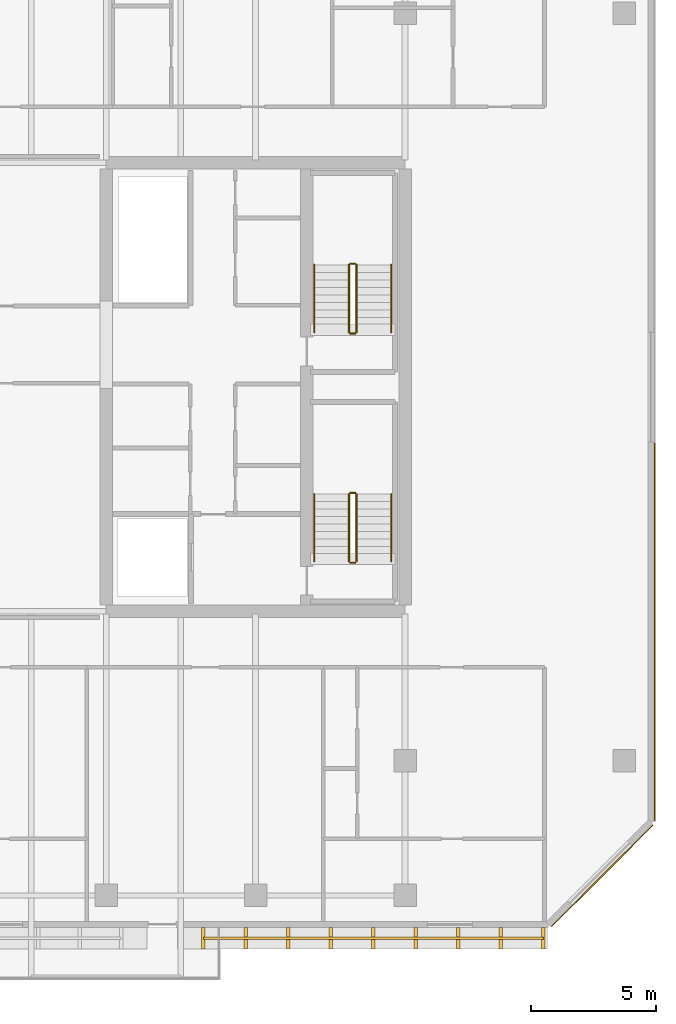
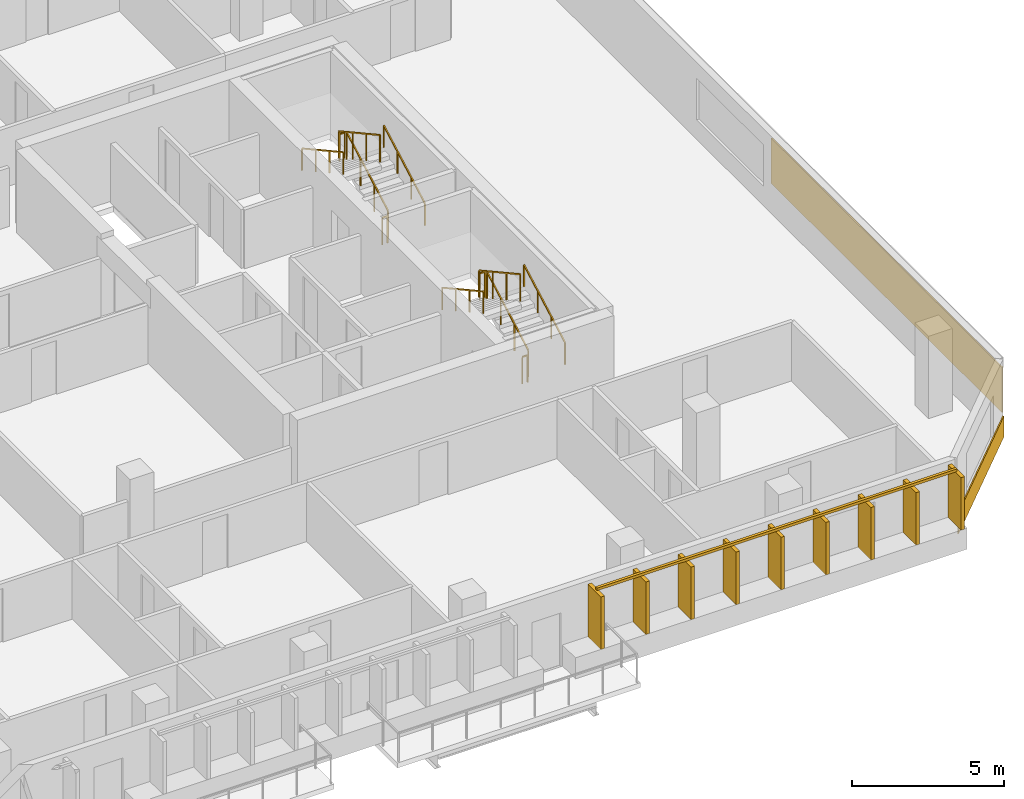
# One storey, part 19 of 20: 13 railings, 2 coverings.
"""IFC4 building model written with IfcOpenShell, lengths in metres."""

from ifc_helpers import new_model, si_unit, direction, frame, origin, origin_2d, place, context, subcontext, project, spatial, rectangle, extrude, material, layer, layer_set, type_object, element, save


model = new_model("IFC4")

# Units and contexts
model_context = context("Model", 3, precision=1e-05, world=origin(), true_north=direction((0.0, 1.0)))
body_context = subcontext(model_context, "Body", "Model", "MODEL_VIEW")
ifc_project = project(units=[si_unit("LENGTHUNIT", "METRE"), si_unit("AREAUNIT", "SQUARE_METRE"), si_unit("VOLUMEUNIT", "CUBIC_METRE"), si_unit("PLANEANGLEUNIT", "RADIAN"), si_unit("MASSUNIT", "GRAM", prefix="KILO")], contexts=[model_context])

# Site, building, storey
site_placement = place(None, origin())
site = spatial("IfcSite", under=ifc_project, at=site_placement, CompositionType="ELEMENT")
building_placement = place(site_placement, origin())
building = spatial("IfcBuilding", under=site, at=building_placement, Name="Tanjung Sevakor Pilgrim Tower", CompositionType="ELEMENT")
storey_placement = place(building_placement, frame((0.0, 0.0, 141.89990234375)))
storey = spatial("IfcBuildingStorey", under=building, at=storey_placement, Name="L39", CompositionType="ELEMENT", Elevation=141.89990234375)

# Coverings
ifc_material_1 = material(Name="Reconstructed Limestone Cladding", Category="masonry")
ifc_layer = layer(ifc_material_1, 0.044921875)
ifc_layer_set = layer_set([ifc_layer], Name="COV-CLAD-LIMESTONE")
covering_type = type_object("IfcCoveringType", Name="COV-CLAD-LIMESTONE", PredefinedType="CLADDING", material=ifc_layer_set)
covering_1_placement = place(storey_placement, frame((97.916015625, 13.984130859375, 0.01025390625), z_axis=(0.0, 0.0, 1.0), x_axis=(0.707106781187, 0.707106781187, 0.0)))
element("IfcCovering", 1, at=covering_1_placement, inside=storey, type_object=covering_type, Name="L39 Warm Limestone Sill Spandrel EW-CHM-L39-MAIN-5-1", PredefinedType="CLADDING", context=body_context, shape_type="SweptSolid", body=[
    extrude(rectangle(XDim=5.756103515625, YDim=0.044921875, at=origin_2d()), origin(), (0.0, 0.0, 1.0), 0.840087890625),
])
covering_2_placement = place(storey_placement, frame((100.0224609375, 23.77099609375, 0.85009765625), z_axis=(0.0, 0.0, 1.0), x_axis=(0.0, 1.0, 0.0)))
element("IfcCovering", 2, at=covering_2_placement, inside=storey, type_object=covering_type, Name="L39 Warm Limestone Pier Panel EW-L39-MAIN-7-1", PredefinedType="CLADDING", context=body_context, shape_type="SweptSolid", body=[
    extrude(rectangle(XDim=15.158203125, YDim=0.044921875, at=origin_2d()), origin(), (0.0, 0.0, 1.0), 1.81005859375),
])

# Railings
ifc_material_2 = material(Name="Anodised Bronze Aluminium 6063-T6", Category="aluminium")
railing_type_1 = type_object("IfcRailingType", Name="RL-FIN-SCREEN", PredefinedType="BALUSTRADE", material=ifc_material_2)
railing_1_placement = place(storey_placement, frame((81.89990234375, 11.47509765625, 0.840087890625)))
element("IfcRailing", 3, at=railing_1_placement, inside=storey, type_object=railing_type_1, Name="L39 Vertical Bronze-Gold Solar Fin Screen FNSCR-EW-L39-MAIN-5-3", PredefinedType="BALUSTRADE", context=body_context, shape_type="SweptSolid", body=[
    extrude(rectangle(XDim=0.105, YDim=0.105), frame((0.0, 0.0, 2.157470703125), z_axis=(1.0, 0.0, 0.0), x_axis=(0.0, 1.0, 0.0)), (0.0, 0.0, 1.0), 13.648193359375),
    extrude(rectangle(XDim=0.14, YDim=0.85), origin(), (0.0, 0.0, 1.0), 2.10498046875),
    extrude(rectangle(XDim=0.14, YDim=0.85), frame((1.7060546875, 0.0, 0.0)), (0.0, 0.0, 1.0), 2.10498046875),
    extrude(rectangle(XDim=0.14, YDim=0.85), frame((3.412109375, 0.0, 0.0)), (0.0, 0.0, 1.0), 2.10498046875),
    extrude(rectangle(XDim=0.14, YDim=0.85), frame((5.1181640625, 0.0, 0.0)), (0.0, 0.0, 1.0), 2.10498046875),
    extrude(rectangle(XDim=0.14, YDim=0.85), frame((6.82421875, 0.0, 0.0)), (0.0, 0.0, 1.0), 2.10498046875),
    extrude(rectangle(XDim=0.14, YDim=0.85), frame((8.530029296875, 0.0, 0.0)), (0.0, 0.0, 1.0), 2.10498046875),
    extrude(rectangle(XDim=0.14, YDim=0.85), frame((10.236083984375, 0.0, 0.0)), (0.0, 0.0, 1.0), 2.10498046875),
    extrude(rectangle(XDim=0.14, YDim=0.85), frame((11.942138671875, 0.0, 0.0)), (0.0, 0.0, 1.0), 2.10498046875),
    extrude(rectangle(XDim=0.14, YDim=0.85), frame((13.648193359375, 0.0, 0.0)), (0.0, 0.0, 1.0), 2.10498046875),
])
ifc_material_3 = material(Name="Steel S355J2", Category="steel")
railing_type_2 = type_object("IfcRailingType", Name="RL-STAIR-GUARD", PredefinedType="GUARDRAIL", material=ifc_material_3)
railing_2_placement = place(storey_placement, frame((88.050048828125, 26.60009765625, 0.1650390625)))
element("IfcRailing", 4, at=railing_2_placement, inside=storey, type_object=railing_type_2, Name="L39 TS-E1 stair guard 1", PredefinedType="GUARDRAIL", context=body_context, shape_type="SweptSolid", body=[
    extrude(rectangle(XDim=0.0479, YDim=0.0479), frame((0.0, 0.0, 1.076171875), z_axis=(0.0, 0.876197507361, 0.481952205197), x_axis=(-1.0, 0.0, 0.0)), (0.0, 0.0, 1.0), 3.08154296875),
    extrude(rectangle(XDim=0.042, YDim=0.042), origin(), (0.0, 0.0, 1.0), 1.052001953125),
    extrude(rectangle(XDim=0.042, YDim=0.042), frame((0.0, 0.89990234375, 0.4951171875)), (0.0, 0.0, 1.0), 1.052001953125),
    extrude(rectangle(XDim=0.042, YDim=0.042), frame((0.0, 1.800048828125, 0.989990234375)), (0.0, 0.0, 1.0), 1.052001953125),
    extrude(rectangle(XDim=0.042, YDim=0.042), frame((0.0, 2.699951171875, 1.485107421875)), (0.0, 0.0, 1.0), 1.052001953125),
])
railing_3_placement = place(storey_placement, frame((88.0, 29.35009765625, 1.650146484375)))
element("IfcRailing", 5, at=railing_3_placement, inside=storey, type_object=railing_type_2, Name="L39 TS-E1 stair guard 2", PredefinedType="GUARDRAIL", context=body_context, shape_type="SweptSolid", body=[
    extrude(rectangle(XDim=0.0479, YDim=0.0479), frame((0.0, 0.0, 1.076171875), z_axis=(-1.0, 0.0, 0.0), x_axis=(0.0, -1.0, 0.0)), (0.0, 0.0, 1.0), 0.199951171875),
    extrude(rectangle(XDim=0.042, YDim=0.042), origin(), (0.0, 0.0, 1.0), 1.052001953125),
    extrude(rectangle(XDim=0.042, YDim=0.042), frame((-0.199951171875, 0.0, 0.0)), (0.0, 0.0, 1.0), 1.052001953125),
])
railing_4_placement = place(storey_placement, frame((87.75, 29.300048828125, 1.815185546875)))
element("IfcRailing", 6, at=railing_4_placement, inside=storey, type_object=railing_type_2, Name="L39 TS-E1 stair guard 3", PredefinedType="GUARDRAIL", context=body_context, shape_type="SweptSolid", body=[
    extrude(rectangle(XDim=0.0479, YDim=0.0479), frame((0.0, 0.0, 1.076171875), z_axis=(0.0, -0.876230963923, 0.481891375584), x_axis=(1.0, 0.0, 0.0)), (0.0, 0.0, 1.0), 3.081298828125),
    extrude(rectangle(XDim=0.042, YDim=0.042), origin(), (0.0, 0.0, 1.0), 1.052001953125),
    extrude(rectangle(XDim=0.042, YDim=0.042), frame((0.0, -0.89990234375, 0.494873046875)), (0.0, 0.0, 1.0), 1.052001953125),
    extrude(rectangle(XDim=0.042, YDim=0.042), frame((0.0, -1.800048828125, 0.989990234375)), (0.0, 0.0, 1.0), 1.052001953125),
    extrude(rectangle(XDim=0.042, YDim=0.042), frame((0.0, -2.699951171875, 1.48486328125)), (0.0, 0.0, 1.0), 1.052001953125),
])
railing_5_placement = place(storey_placement, frame((88.0, 26.550048828125, 0.0)))
element("IfcRailing", 7, at=railing_5_placement, inside=storey, type_object=railing_type_2, Name="L39 TS-E1 stair guard 4", PredefinedType="GUARDRAIL", context=body_context, shape_type="SweptSolid", body=[
    extrude(rectangle(XDim=0.0479, YDim=0.0479), frame((0.0, 0.0, 1.076171875), z_axis=(-1.0, 0.0, 0.0), x_axis=(0.0, -1.0, 0.0)), (0.0, 0.0, 1.0), 0.199951171875),
    extrude(rectangle(XDim=0.042, YDim=0.042), origin(), (0.0, 0.0, 1.0), 1.052001953125),
    extrude(rectangle(XDim=0.042, YDim=0.042), frame((-0.199951171875, 0.0, 0.0)), (0.0, 0.0, 1.0), 1.052001953125),
])
railing_6_placement = place(storey_placement, frame((88.050048828125, 35.800048828125, 0.1650390625)))
element("IfcRailing", 8, at=railing_6_placement, inside=storey, type_object=railing_type_2, Name="L39 TS-E2 stair guard 1", PredefinedType="GUARDRAIL", context=body_context, shape_type="SweptSolid", body=[
    extrude(rectangle(XDim=0.0479, YDim=0.0479), frame((0.0, 0.0, 1.076171875), z_axis=(0.0, 0.876197507361, 0.481952205197), x_axis=(-1.0, 0.0, 0.0)), (0.0, 0.0, 1.0), 3.08154296875),
    extrude(rectangle(XDim=0.042, YDim=0.042), origin(), (0.0, 0.0, 1.0), 1.052001953125),
    extrude(rectangle(XDim=0.042, YDim=0.042), frame((0.0, 0.89990234375, 0.4951171875)), (0.0, 0.0, 1.0), 1.052001953125),
    extrude(rectangle(XDim=0.042, YDim=0.042), frame((0.0, 1.800048828125, 0.989990234375)), (0.0, 0.0, 1.0), 1.052001953125),
    extrude(rectangle(XDim=0.042, YDim=0.042), frame((0.0, 2.699951171875, 1.485107421875)), (0.0, 0.0, 1.0), 1.052001953125),
])
railing_7_placement = place(storey_placement, frame((88.0, 38.550048828125, 1.650146484375)))
element("IfcRailing", 9, at=railing_7_placement, inside=storey, type_object=railing_type_2, Name="L39 TS-E2 stair guard 2", PredefinedType="GUARDRAIL", context=body_context, shape_type="SweptSolid", body=[
    extrude(rectangle(XDim=0.0479, YDim=0.0479), frame((0.0, 0.0, 1.076171875), z_axis=(-1.0, 0.0, 0.0), x_axis=(0.0, -1.0, 0.0)), (0.0, 0.0, 1.0), 0.199951171875),
    extrude(rectangle(XDim=0.042, YDim=0.042), origin(), (0.0, 0.0, 1.0), 1.052001953125),
    extrude(rectangle(XDim=0.042, YDim=0.042), frame((-0.199951171875, 0.0, 0.0)), (0.0, 0.0, 1.0), 1.052001953125),
])
railing_8_placement = place(storey_placement, frame((87.75, 38.5, 1.815185546875)))
element("IfcRailing", 10, at=railing_8_placement, inside=storey, type_object=railing_type_2, Name="L39 TS-E2 stair guard 3", PredefinedType="GUARDRAIL", context=body_context, shape_type="SweptSolid", body=[
    extrude(rectangle(XDim=0.0479, YDim=0.0479), frame((0.0, 0.0, 1.076171875), z_axis=(0.0, -0.876230963923, 0.481891375584), x_axis=(1.0, 0.0, 0.0)), (0.0, 0.0, 1.0), 3.081298828125),
    extrude(rectangle(XDim=0.042, YDim=0.042), origin(), (0.0, 0.0, 1.0), 1.052001953125),
    extrude(rectangle(XDim=0.042, YDim=0.042), frame((0.0, -0.89990234375, 0.494873046875)), (0.0, 0.0, 1.0), 1.052001953125),
    extrude(rectangle(XDim=0.042, YDim=0.042), frame((0.0, -1.800048828125, 0.989990234375)), (0.0, 0.0, 1.0), 1.052001953125),
    extrude(rectangle(XDim=0.042, YDim=0.042), frame((0.0, -2.699951171875, 1.48486328125)), (0.0, 0.0, 1.0), 1.052001953125),
])
railing_9_placement = place(storey_placement, frame((88.0, 35.75, 0.0)))
element("IfcRailing", 11, at=railing_9_placement, inside=storey, type_object=railing_type_2, Name="L39 TS-E2 stair guard 4", PredefinedType="GUARDRAIL", context=body_context, shape_type="SweptSolid", body=[
    extrude(rectangle(XDim=0.0479, YDim=0.0479), frame((0.0, 0.0, 1.076171875), z_axis=(-1.0, 0.0, 0.0), x_axis=(0.0, -1.0, 0.0)), (0.0, 0.0, 1.0), 0.199951171875),
    extrude(rectangle(XDim=0.042, YDim=0.042), origin(), (0.0, 0.0, 1.0), 1.052001953125),
    extrude(rectangle(XDim=0.042, YDim=0.042), frame((-0.199951171875, 0.0, 0.0)), (0.0, 0.0, 1.0), 1.052001953125),
])
ifc_material_4 = material(Name="Steel S355J2", Category="steel")
railing_type_3 = type_object("IfcRailingType", Name="RL-STAIR-HAND", PredefinedType="HANDRAIL", material=ifc_material_4)
railing_10_placement = place(storey_placement, frame((89.449951171875, 26.60009765625, 0.1650390625)))
element("IfcRailing", 12, at=railing_10_placement, inside=storey, type_object=railing_type_3, Name="L39 TS-E1 stair handrail 1", PredefinedType="HANDRAIL", context=body_context, shape_type="SweptSolid", body=[
    extrude(rectangle(XDim=0.0479, YDim=0.0479), frame((0.0, 0.0, 0.8759765625), z_axis=(0.0, 0.876197507361, 0.481952205197), x_axis=(-1.0, 0.0, 0.0)), (0.0, 0.0, 1.0), 3.08154296875),
    extrude(rectangle(XDim=0.042, YDim=0.042), origin(), (0.0, 0.0, 1.0), 0.851806640625),
    extrude(rectangle(XDim=0.042, YDim=0.042), frame((0.0, 0.89990234375, 0.4951171875)), (0.0, 0.0, 1.0), 0.851806640625),
    extrude(rectangle(XDim=0.042, YDim=0.042), frame((0.0, 1.800048828125, 0.989990234375)), (0.0, 0.0, 1.0), 0.851806640625),
    extrude(rectangle(XDim=0.042, YDim=0.042), frame((0.0, 2.699951171875, 1.485107421875)), (0.0, 0.0, 1.0), 0.851806640625),
])
railing_11_placement = place(storey_placement, frame((86.35009765625, 29.300048828125, 1.815185546875)))
element("IfcRailing", 13, at=railing_11_placement, inside=storey, type_object=railing_type_3, Name="L39 TS-E1 stair handrail 2", PredefinedType="HANDRAIL", context=body_context, shape_type="SweptSolid", body=[
    extrude(rectangle(XDim=0.0479, YDim=0.0479), frame((0.0, 0.0, 0.8759765625), z_axis=(0.0, -0.876230963923, 0.481891375584), x_axis=(1.0, 0.0, 0.0)), (0.0, 0.0, 1.0), 3.081298828125),
    extrude(rectangle(XDim=0.042, YDim=0.042), origin(), (0.0, 0.0, 1.0), 0.851806640625),
    extrude(rectangle(XDim=0.042, YDim=0.042), frame((0.0, -0.89990234375, 0.494873046875)), (0.0, 0.0, 1.0), 0.851806640625),
    extrude(rectangle(XDim=0.042, YDim=0.042), frame((0.0, -1.800048828125, 0.989990234375)), (0.0, 0.0, 1.0), 0.851806640625),
    extrude(rectangle(XDim=0.042, YDim=0.042), frame((0.0, -2.699951171875, 1.48486328125)), (0.0, 0.0, 1.0), 0.851806640625),
])
railing_12_placement = place(storey_placement, frame((89.449951171875, 35.800048828125, 0.1650390625)))
element("IfcRailing", 14, at=railing_12_placement, inside=storey, type_object=railing_type_3, Name="L39 TS-E2 stair handrail 1", PredefinedType="HANDRAIL", context=body_context, shape_type="SweptSolid", body=[
    extrude(rectangle(XDim=0.0479, YDim=0.0479), frame((0.0, 0.0, 0.8759765625), z_axis=(0.0, 0.876197507361, 0.481952205197), x_axis=(-1.0, 0.0, 0.0)), (0.0, 0.0, 1.0), 3.08154296875),
    extrude(rectangle(XDim=0.042, YDim=0.042), origin(), (0.0, 0.0, 1.0), 0.851806640625),
    extrude(rectangle(XDim=0.042, YDim=0.042), frame((0.0, 0.89990234375, 0.4951171875)), (0.0, 0.0, 1.0), 0.851806640625),
    extrude(rectangle(XDim=0.042, YDim=0.042), frame((0.0, 1.800048828125, 0.989990234375)), (0.0, 0.0, 1.0), 0.851806640625),
    extrude(rectangle(XDim=0.042, YDim=0.042), frame((0.0, 2.699951171875, 1.485107421875)), (0.0, 0.0, 1.0), 0.851806640625),
])
railing_13_placement = place(storey_placement, frame((86.35009765625, 38.5, 1.815185546875)))
element("IfcRailing", 15, at=railing_13_placement, inside=storey, type_object=railing_type_3, Name="L39 TS-E2 stair handrail 2", PredefinedType="HANDRAIL", context=body_context, shape_type="SweptSolid", body=[
    extrude(rectangle(XDim=0.0479, YDim=0.0479), frame((0.0, 0.0, 0.8759765625), z_axis=(0.0, -0.876230963923, 0.481891375584), x_axis=(1.0, 0.0, 0.0)), (0.0, 0.0, 1.0), 3.081298828125),
    extrude(rectangle(XDim=0.042, YDim=0.042), origin(), (0.0, 0.0, 1.0), 0.851806640625),
    extrude(rectangle(XDim=0.042, YDim=0.042), frame((0.0, -0.89990234375, 0.494873046875)), (0.0, 0.0, 1.0), 0.851806640625),
    extrude(rectangle(XDim=0.042, YDim=0.042), frame((0.0, -1.800048828125, 0.989990234375)), (0.0, 0.0, 1.0), 0.851806640625),
    extrude(rectangle(XDim=0.042, YDim=0.042), frame((0.0, -2.699951171875, 1.48486328125)), (0.0, 0.0, 1.0), 0.851806640625),
])

save(model, "model.ifc")
